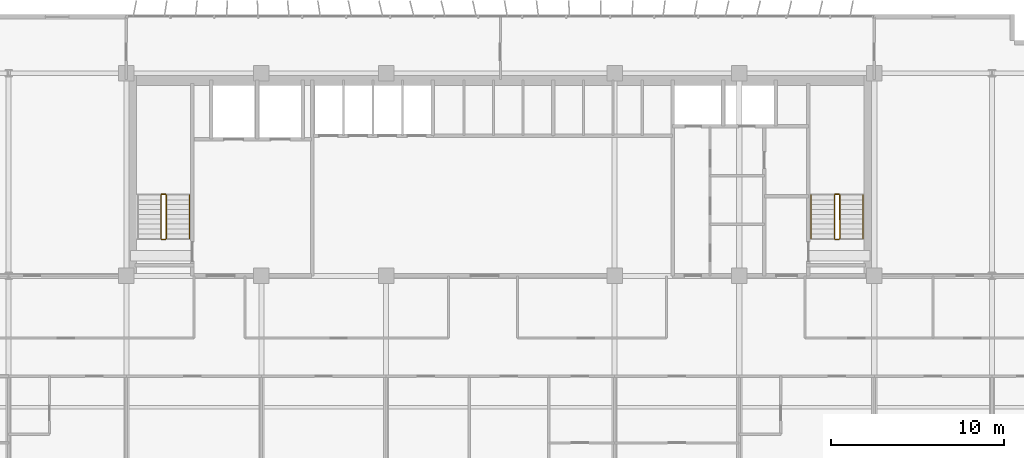
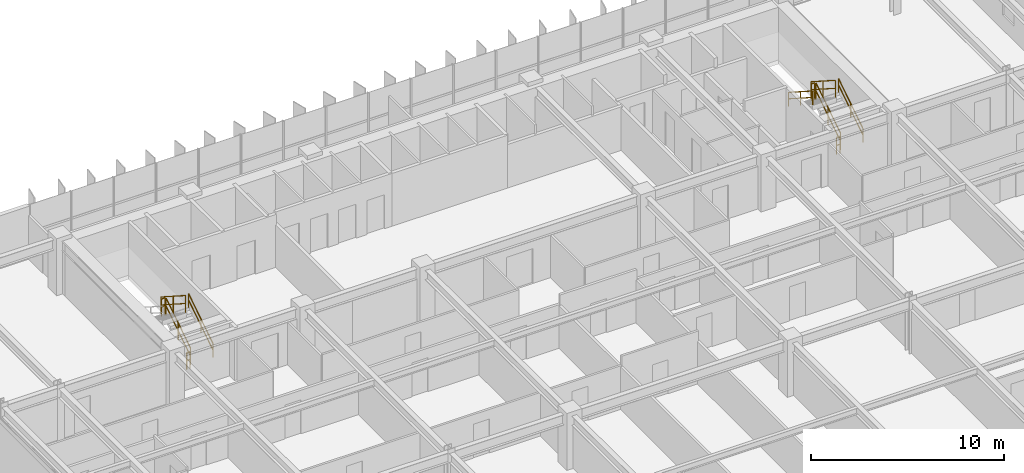
# One storey, part 21 of 22: 11 railings.
"""IFC4 building model written with IfcOpenShell, lengths in metres."""

from ifc_helpers import new_model, si_unit, direction, frame, origin, origin_2d, place, context, subcontext, project, spatial, rectangle, extrude, material, type_object, element, save


model = new_model("IFC4")

# Units and contexts
model_context = context("Model", 3, precision=1e-05, world=origin(), true_north=direction((0.0, 1.0)))
body_context = subcontext(model_context, "Body", "Model", "MODEL_VIEW")
ifc_project = project(units=[si_unit("LENGTHUNIT", "METRE"), si_unit("AREAUNIT", "SQUARE_METRE"), si_unit("VOLUMEUNIT", "CUBIC_METRE"), si_unit("PLANEANGLEUNIT", "RADIAN"), si_unit("MASSUNIT", "GRAM", prefix="KILO")], contexts=[model_context])

# Site, building, storey
site_placement = place(None, origin())
site = spatial("IfcSite", under=ifc_project, at=site_placement, CompositionType="ELEMENT")
building_placement = place(site_placement, origin())
building = spatial("IfcBuilding", under=site, at=building_placement, Name="Trelvane Seafront Commons", CompositionType="ELEMENT")
storey_placement = place(building_placement, frame((0.0, 0.0, 59.5)))
storey = spatial("IfcBuildingStorey", under=building, at=storey_placement, Name="L15", CompositionType="ELEMENT", Elevation=59.5)

# Railings
ifc_material = material(Name="Stainless steel balustrade", Category="steel")
railing_type_1 = type_object("IfcRailingType", Name="ARCH-SRL-GUARD", PredefinedType="GUARDRAIL", material=ifc_material)
railing_1_placement = place(storey_placement, frame((17.89990234375, 35.550048828125, 0.179931640625)))
element("IfcRailing", 1, at=railing_1_placement, inside=storey, type_object=railing_type_1, Name="L15 ST-1 stair guard 1", PredefinedType="GUARDRAIL", context=body_context, shape_type="SweptSolid", body=[
    extrude(rectangle(XDim=0.048095703125, YDim=0.048095703125, at=origin_2d()), frame((0.0, 0.0, 1.076171875), z_axis=(0.0, 0.841162588446, 0.540782303519), x_axis=(-1.0, 0.0, 0.0)), (0.0, 0.0, 1.0), 2.995849609375),
    extrude(rectangle(XDim=0.048095703125, YDim=0.048095703125, at=origin_2d()), frame((0.0, 0.0, 0.572021484375), z_axis=(0.0, 0.841162588446, 0.540782303519), x_axis=(-1.0, 0.0, 0.0)), (0.0, 0.0, 1.0), 2.995849609375),
    extrude(rectangle(XDim=0.0419921875, YDim=0.0419921875, at=origin_2d()), origin(), (0.0, 0.0, 1.0), 1.076171875),
    extrude(rectangle(XDim=0.0419921875, YDim=0.0419921875, at=origin_2d()), frame((0.0, 1.260009765625, 0.81005859375)), (0.0, 0.0, 1.0), 1.076171875),
    extrude(rectangle(XDim=0.0419921875, YDim=0.0419921875, at=origin_2d()), frame((0.0, 2.52001953125, 1.6201171875)), (0.0, 0.0, 1.0), 1.076171875),
])
railing_2_placement = place(storey_placement, frame((17.85009765625, 38.1201171875, 1.800048828125)))
element("IfcRailing", 2, at=railing_2_placement, inside=storey, type_object=railing_type_1, Name="L15 ST-1 stair guard 2", PredefinedType="GUARDRAIL", context=body_context, shape_type="SweptSolid", body=[
    extrude(rectangle(XDim=0.048095703125, YDim=0.048095703125, at=origin_2d()), frame((0.0, 0.0, 1.076171875), z_axis=(-1.0, 0.0, 0.0), x_axis=(0.0, -1.0, 0.0)), (0.0, 0.0, 1.0), 0.2001953125),
    extrude(rectangle(XDim=0.048095703125, YDim=0.048095703125, at=origin_2d()), frame((0.0, 0.0, 0.572021484375), z_axis=(-1.0, 0.0, 0.0), x_axis=(0.0, -1.0, 0.0)), (0.0, 0.0, 1.0), 0.2001953125),
    extrude(rectangle(XDim=0.0419921875, YDim=0.0419921875, at=origin_2d()), origin(), (0.0, 0.0, 1.0), 1.076171875),
    extrude(rectangle(XDim=0.0419921875, YDim=0.0419921875, at=origin_2d()), frame((-0.2001953125, 0.0, 0.0)), (0.0, 0.0, 1.0), 1.076171875),
])
railing_3_placement = place(storey_placement, frame((17.60009765625, 38.070068359375, 1.97998046875)))
element("IfcRailing", 3, at=railing_3_placement, inside=storey, type_object=railing_type_1, Name="L15 ST-1 stair guard 3", PredefinedType="GUARDRAIL", context=body_context, shape_type="SweptSolid", body=[
    extrude(rectangle(XDim=0.048095703125, YDim=0.048095703125, at=origin_2d()), frame((0.0, 0.0, 1.076171875), z_axis=(0.0, -0.841162588446, 0.540782303519), x_axis=(1.0, 0.0, 0.0)), (0.0, 0.0, 1.0), 2.995849609375),
    extrude(rectangle(XDim=0.048095703125, YDim=0.048095703125, at=origin_2d()), frame((0.0, 0.0, 0.572021484375), z_axis=(0.0, -0.841162588446, 0.540782303519), x_axis=(1.0, 0.0, 0.0)), (0.0, 0.0, 1.0), 2.995849609375),
    extrude(rectangle(XDim=0.0419921875, YDim=0.0419921875, at=origin_2d()), origin(), (0.0, 0.0, 1.0), 1.076171875),
    extrude(rectangle(XDim=0.0419921875, YDim=0.0419921875, at=origin_2d()), frame((0.0, -1.260009765625, 0.81005859375)), (0.0, 0.0, 1.0), 1.076171875),
    extrude(rectangle(XDim=0.0419921875, YDim=0.0419921875, at=origin_2d()), frame((0.0, -2.52001953125, 1.6201171875)), (0.0, 0.0, 1.0), 1.076171875),
])
railing_4_placement = place(storey_placement, frame((17.85009765625, 35.5, 0.0)))
element("IfcRailing", 4, at=railing_4_placement, inside=storey, type_object=railing_type_1, Name="L15 ST-1 stair guard 4", PredefinedType="GUARDRAIL", context=body_context, shape_type="SweptSolid", body=[
    extrude(rectangle(XDim=0.048095703125, YDim=0.048095703125, at=origin_2d()), frame((0.0, 0.0, 1.076171875), z_axis=(-1.0, 0.0, 0.0), x_axis=(0.0, -1.0, 0.0)), (0.0, 0.0, 1.0), 0.2001953125),
    extrude(rectangle(XDim=0.048095703125, YDim=0.048095703125, at=origin_2d()), frame((0.0, 0.0, 0.572021484375), z_axis=(-1.0, 0.0, 0.0), x_axis=(0.0, -1.0, 0.0)), (0.0, 0.0, 1.0), 0.2001953125),
    extrude(rectangle(XDim=0.0419921875, YDim=0.0419921875, at=origin_2d()), origin(), (0.0, 0.0, 1.0), 1.076171875),
    extrude(rectangle(XDim=0.0419921875, YDim=0.0419921875, at=origin_2d()), frame((-0.2001953125, 0.0, 0.0)), (0.0, 0.0, 1.0), 1.076171875),
])
railing_5_placement = place(storey_placement, frame((56.800048828125, 35.550048828125, 0.179931640625)))
element("IfcRailing", 5, at=railing_5_placement, inside=storey, type_object=railing_type_1, Name="L15 ST-2 stair guard 1", PredefinedType="GUARDRAIL", context=body_context, shape_type="SweptSolid", body=[
    extrude(rectangle(XDim=0.048095703125, YDim=0.048095703125, at=origin_2d()), frame((0.0, 0.0, 1.076171875), z_axis=(0.0, 0.841162588446, 0.540782303519), x_axis=(-1.0, 0.0, 0.0)), (0.0, 0.0, 1.0), 2.995849609375),
    extrude(rectangle(XDim=0.048095703125, YDim=0.048095703125, at=origin_2d()), frame((0.0, 0.0, 0.572021484375), z_axis=(0.0, 0.841162588446, 0.540782303519), x_axis=(-1.0, 0.0, 0.0)), (0.0, 0.0, 1.0), 2.995849609375),
    extrude(rectangle(XDim=0.0419921875, YDim=0.0419921875, at=origin_2d()), origin(), (0.0, 0.0, 1.0), 1.076171875),
    extrude(rectangle(XDim=0.0419921875, YDim=0.0419921875, at=origin_2d()), frame((0.0, 1.260009765625, 0.81005859375)), (0.0, 0.0, 1.0), 1.076171875),
    extrude(rectangle(XDim=0.0419921875, YDim=0.0419921875, at=origin_2d()), frame((0.0, 2.52001953125, 1.6201171875)), (0.0, 0.0, 1.0), 1.076171875),
])
railing_6_placement = place(storey_placement, frame((56.75, 38.1201171875, 1.800048828125)))
element("IfcRailing", 6, at=railing_6_placement, inside=storey, type_object=railing_type_1, Name="L15 ST-2 stair guard 2", PredefinedType="GUARDRAIL", context=body_context, shape_type="SweptSolid", body=[
    extrude(rectangle(XDim=0.048095703125, YDim=0.048095703125, at=origin_2d()), frame((0.0, 0.0, 1.076171875), z_axis=(-1.0, 0.0, 0.0), x_axis=(0.0, -1.0, 0.0)), (0.0, 0.0, 1.0), 0.199951171875),
    extrude(rectangle(XDim=0.048095703125, YDim=0.048095703125, at=origin_2d()), frame((0.0, 0.0, 0.572021484375), z_axis=(-1.0, 0.0, 0.0), x_axis=(0.0, -1.0, 0.0)), (0.0, 0.0, 1.0), 0.199951171875),
    extrude(rectangle(XDim=0.0419921875, YDim=0.0419921875, at=origin_2d()), origin(), (0.0, 0.0, 1.0), 1.076171875),
    extrude(rectangle(XDim=0.0419921875, YDim=0.0419921875, at=origin_2d()), frame((-0.199951171875, 0.0, 0.0)), (0.0, 0.0, 1.0), 1.076171875),
])
railing_7_placement = place(storey_placement, frame((56.5, 38.070068359375, 1.97998046875)))
element("IfcRailing", 7, at=railing_7_placement, inside=storey, type_object=railing_type_1, Name="L15 ST-2 stair guard 3", PredefinedType="GUARDRAIL", context=body_context, shape_type="SweptSolid", body=[
    extrude(rectangle(XDim=0.048095703125, YDim=0.048095703125, at=origin_2d()), frame((0.0, 0.0, 1.076171875), z_axis=(0.0, -0.841162588446, 0.540782303519), x_axis=(1.0, 0.0, 0.0)), (0.0, 0.0, 1.0), 2.995849609375),
    extrude(rectangle(XDim=0.048095703125, YDim=0.048095703125, at=origin_2d()), frame((0.0, 0.0, 0.572021484375), z_axis=(0.0, -0.841162588446, 0.540782303519), x_axis=(1.0, 0.0, 0.0)), (0.0, 0.0, 1.0), 2.995849609375),
    extrude(rectangle(XDim=0.0419921875, YDim=0.0419921875, at=origin_2d()), origin(), (0.0, 0.0, 1.0), 1.076171875),
    extrude(rectangle(XDim=0.0419921875, YDim=0.0419921875, at=origin_2d()), frame((0.0, -1.260009765625, 0.81005859375)), (0.0, 0.0, 1.0), 1.076171875),
    extrude(rectangle(XDim=0.0419921875, YDim=0.0419921875, at=origin_2d()), frame((0.0, -2.52001953125, 1.6201171875)), (0.0, 0.0, 1.0), 1.076171875),
])
railing_8_placement = place(storey_placement, frame((56.75, 35.5, 0.0)))
element("IfcRailing", 8, at=railing_8_placement, inside=storey, type_object=railing_type_1, Name="L15 ST-2 stair guard 4", PredefinedType="GUARDRAIL", context=body_context, shape_type="SweptSolid", body=[
    extrude(rectangle(XDim=0.048095703125, YDim=0.048095703125, at=origin_2d()), frame((0.0, 0.0, 1.076171875), z_axis=(-1.0, 0.0, 0.0), x_axis=(0.0, -1.0, 0.0)), (0.0, 0.0, 1.0), 0.199951171875),
    extrude(rectangle(XDim=0.048095703125, YDim=0.048095703125, at=origin_2d()), frame((0.0, 0.0, 0.572021484375), z_axis=(-1.0, 0.0, 0.0), x_axis=(0.0, -1.0, 0.0)), (0.0, 0.0, 1.0), 0.199951171875),
    extrude(rectangle(XDim=0.0419921875, YDim=0.0419921875, at=origin_2d()), origin(), (0.0, 0.0, 1.0), 1.076171875),
    extrude(rectangle(XDim=0.0419921875, YDim=0.0419921875, at=origin_2d()), frame((-0.199951171875, 0.0, 0.0)), (0.0, 0.0, 1.0), 1.076171875),
])
railing_type_2 = type_object("IfcRailingType", Name="ARCH-SRL-HAND", PredefinedType="HANDRAIL", material=ifc_material)
for number, where, name in (
    (9, (19.25, 35.550048828125, 0.179931640625), "L15 ST-1 stair handrail 1"),
    (10, (58.14990234375, 35.550048828125, 0.179931640625), "L15 ST-2 stair handrail 1"),
):
    element("IfcRailing", number, at=place(storey_placement, frame(where)), inside=storey, type_object=railing_type_2, Name=name, PredefinedType="HANDRAIL", context=body_context, shape_type="SweptSolid", body=[
        extrude(rectangle(XDim=0.048095703125, YDim=0.048095703125, at=origin_2d()), frame((0.0, 0.0, 0.8759765625), z_axis=(0.0, 0.841162588446, 0.540782303519), x_axis=(-1.0, 0.0, 0.0)), (0.0, 0.0, 1.0), 2.995849609375),
        extrude(rectangle(XDim=0.048095703125, YDim=0.048095703125, at=origin_2d()), frame((0.0, 0.0, 0.468017578125), z_axis=(0.0, 0.841162588446, 0.540782303519), x_axis=(-1.0, 0.0, 0.0)), (0.0, 0.0, 1.0), 2.995849609375),
        extrude(rectangle(XDim=0.0419921875, YDim=0.0419921875, at=origin_2d()), origin(), (0.0, 0.0, 1.0), 0.8759765625),
        extrude(rectangle(XDim=0.0419921875, YDim=0.0419921875, at=origin_2d()), frame((0.0, 1.260009765625, 0.81005859375)), (0.0, 0.0, 1.0), 0.8759765625),
        extrude(rectangle(XDim=0.0419921875, YDim=0.0419921875, at=origin_2d()), frame((0.0, 2.52001953125, 1.6201171875)), (0.0, 0.0, 1.0), 0.8759765625),
    ])
railing_9_placement = place(storey_placement, frame((55.14990234375, 38.070068359375, 1.97998046875)))
element("IfcRailing", 11, at=railing_9_placement, inside=storey, type_object=railing_type_2, Name="L15 ST-2 stair handrail 2", PredefinedType="HANDRAIL", context=body_context, shape_type="SweptSolid", body=[
    extrude(rectangle(XDim=0.048095703125, YDim=0.048095703125, at=origin_2d()), frame((0.0, 0.0, 0.8759765625), z_axis=(0.0, -0.841162588446, 0.540782303519), x_axis=(1.0, 0.0, 0.0)), (0.0, 0.0, 1.0), 2.995849609375),
    extrude(rectangle(XDim=0.048095703125, YDim=0.048095703125, at=origin_2d()), frame((0.0, 0.0, 0.468017578125), z_axis=(0.0, -0.841162588446, 0.540782303519), x_axis=(1.0, 0.0, 0.0)), (0.0, 0.0, 1.0), 2.995849609375),
    extrude(rectangle(XDim=0.0419921875, YDim=0.0419921875, at=origin_2d()), origin(), (0.0, 0.0, 1.0), 0.8759765625),
    extrude(rectangle(XDim=0.0419921875, YDim=0.0419921875, at=origin_2d()), frame((0.0, -1.260009765625, 0.81005859375)), (0.0, 0.0, 1.0), 0.8759765625),
    extrude(rectangle(XDim=0.0419921875, YDim=0.0419921875, at=origin_2d()), frame((0.0, -2.52001953125, 1.6201171875)), (0.0, 0.0, 1.0), 0.8759765625),
])

save(model, "model.ifc")
